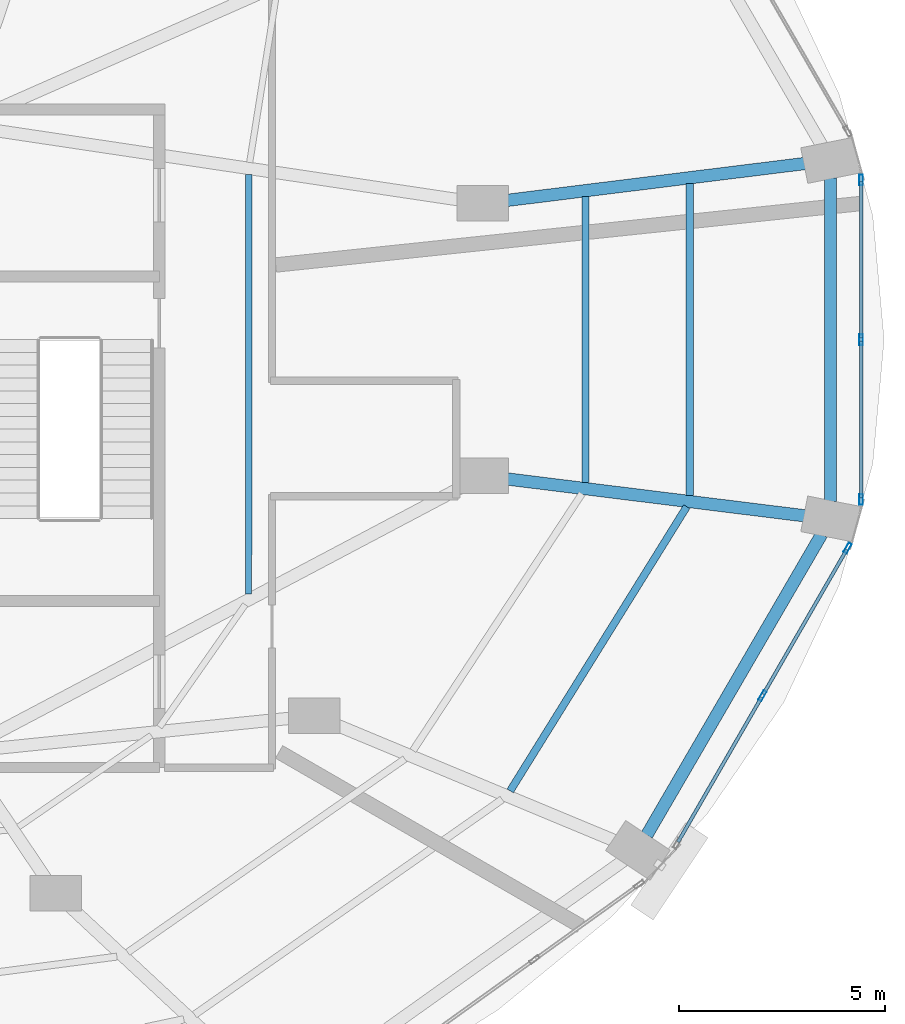
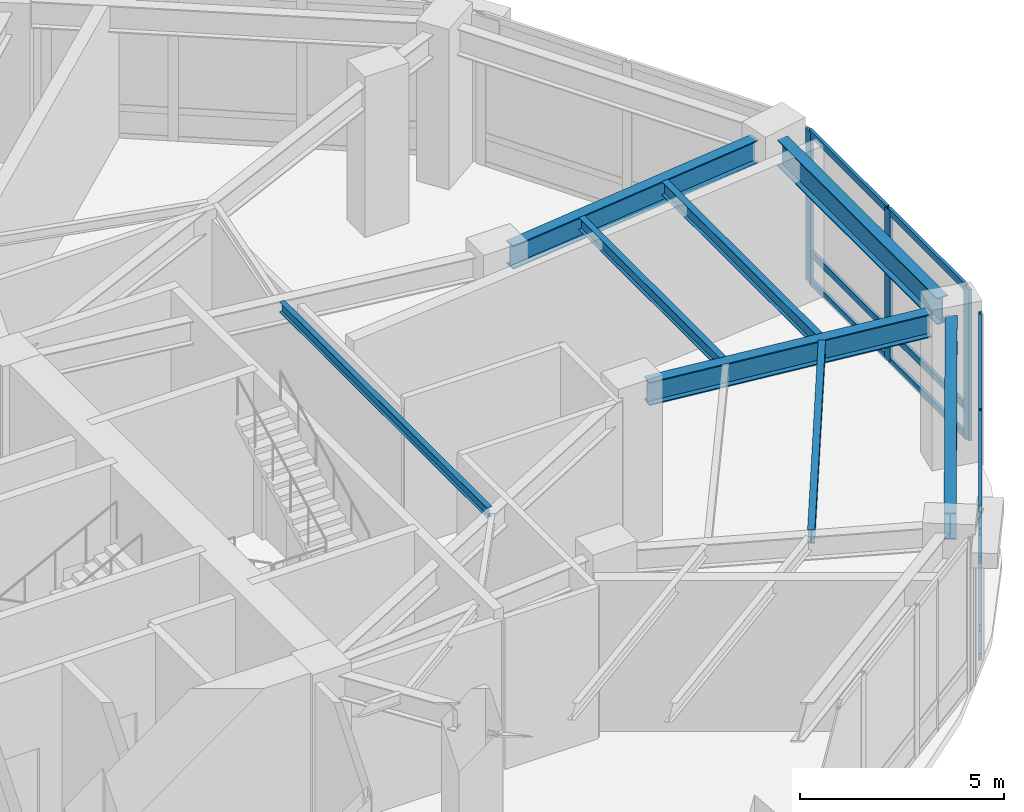
# One storey, part 12 of 24: 17 members, 8 beams, 2 elements without a shape of their own.
"""IFC4 building model written with IfcOpenShell, lengths in metres."""

from ifc_helpers import new_model, si_unit, direction, frame, origin, origin_2d, place, context, subcontext, project, spatial, hollow_rectangle, i_section, extrude, material, layer, layer_set, material_profile, profile_set, type_object, element, aggregate, save


model = new_model("IFC4")

# Units and contexts
model_context = context("Model", 3, precision=1e-05, world=origin(), true_north=direction((0.0, 1.0)))
body_context = subcontext(model_context, "Body", "Model", "MODEL_VIEW")
ifc_project = project(units=[si_unit("LENGTHUNIT", "METRE"), si_unit("AREAUNIT", "SQUARE_METRE"), si_unit("VOLUMEUNIT", "CUBIC_METRE"), si_unit("PLANEANGLEUNIT", "RADIAN"), si_unit("MASSUNIT", "GRAM", prefix="KILO")], contexts=[model_context])

# Site, building, storey
site_placement = place(None, origin())
site = spatial("IfcSite", under=ifc_project, at=site_placement, CompositionType="ELEMENT")
building_placement = place(site_placement, origin())
building = spatial("IfcBuilding", under=site, at=building_placement, Name="Lazwardi Medical Tower", CompositionType="ELEMENT")
storey_placement = place(building_placement, frame((0.0, 0.0, 6.0)))
storey = spatial("IfcBuildingStorey", under=building, at=storey_placement, Name="L01", CompositionType="ELEMENT", Elevation=6.0)

# Beams
ifc_material_1 = material(Name="Steel S355", Category="steel")
ifc_material_profile_1 = material_profile(ifc_material_1, i_section(OverallWidth=0.300048828125, OverallDepth=0.800048828125, WebThickness=0.017578125, FlangeThickness=0.032958984375, at=origin_2d()), Name="HEB 800")
ifc_profile_set_1 = profile_set([ifc_material_profile_1], Name="Steel S355")
beam_type_1 = type_object("IfcBeamType", Name="BM-RB-P1", PredefinedType="BEAM", material=ifc_profile_set_1)
beam_1_placement = place(storey_placement, frame((62.2412109375, 18.382568359375, 4.1201171875), z_axis=(0.502605874383, 0.864515665003, 0.0), x_axis=(-0.864515665003, 0.502605874383, 0.0)))
element("IfcBeam", 1, at=beam_1_placement, inside=storey, type_object=beam_type_1, Name="Ring beam RB-01 B03 L01", PredefinedType="BEAM", context=body_context, shape_type="SweptSolid", body=[
    extrude(i_section(OverallWidth=0.300048828125, OverallDepth=0.800048828125, WebThickness=0.017578125, FlangeThickness=0.032958984375, at=origin_2d()), origin(), (0.0, 0.0, 1.0), 8.4384765625),
])
beam_2_placement = place(storey_placement, frame((66.698486328125, 26.4794921875, 4.1201171875), z_axis=(0.0, 1.0, 0.0), x_axis=(-1.0, 0.0, 0.0)))
element("IfcBeam", 2, at=beam_2_placement, inside=storey, type_object=beam_type_1, Name="Ring beam RB-01 B04 L01", PredefinedType="BEAM", context=body_context, shape_type="SweptSolid", body=[
    extrude(i_section(OverallWidth=0.300048828125, OverallDepth=0.800048828125, WebThickness=0.017578125, FlangeThickness=0.032958984375, at=origin_2d()), origin(), (0.0, 0.0, 1.0), 7.841064453125),
])
ifc_material_profile_2 = material_profile(ifc_material_1, i_section(OverallWidth=0.300048828125, OverallDepth=0.699951171875, WebThickness=0.01708984375, FlangeThickness=0.031982421875, at=origin_2d()), Name="HEB 700")
ifc_profile_set_2 = profile_set([ifc_material_profile_2], Name="Steel S355")
beam_type_2 = type_object("IfcBeamType", Name="BM-RG-P1", PredefinedType="BEAM", material=ifc_profile_set_2)
for number, where, z_axis, x_axis, name in (
    (3, (66.123046875, 26.120849609375, 4.169921875), (-0.992421549031, 0.122879896728, 0.0), (-0.122879896728, -0.992421549031, 0.0), "Radial girder RG-01 R04A L01"),
    (4, (66.123046875, 34.67919921875, 4.169921875), (-0.992421549031, -0.122879896728, 0.0), (0.122879896728, -0.992421549031, 0.0), "Radial girder RG-01 R05A L01"),
):
    element("IfcBeam", number, at=place(storey_placement, frame(where, z_axis=z_axis, x_axis=x_axis)), inside=storey, type_object=beam_type_2, Name=name, PredefinedType="BEAM", context=body_context, shape_type="SweptSolid", body=[
        extrude(i_section(OverallWidth=0.300048828125, OverallDepth=0.699951171875, WebThickness=0.01708984375, FlangeThickness=0.031982421875, at=origin_2d()), origin(), (0.0, 0.0, 1.0), 7.52001953125),
    ])
ifc_material_profile_3 = material_profile(ifc_material_1, i_section(OverallWidth=0.179931640625, OverallDepth=0.39990234375, WebThickness=0.008544921875, FlangeThickness=0.013427734375, at=origin_2d()), Name="IPE 400")
ifc_profile_set_3 = profile_set([ifc_material_profile_3], Name="Steel S355")
beam_type_3 = type_object("IfcBeamType", Name="BM-SJ-01", PredefinedType="JOIST", material=ifc_profile_set_3)
beam_3_placement = place(storey_placement, frame((58.927490234375, 19.45458984375, 4.320068359375), z_axis=(0.527696026634, 0.84943328371, 0.0), x_axis=(-0.84943328371, 0.527696026634, 0.0)))
element("IfcBeam", 5, at=beam_3_placement, inside=storey, type_object=beam_type_3, Name="Secondary joist SJ-01 RO1 B03 L01", PredefinedType="JOIST", context=body_context, shape_type="SweptSolid", body=[
    extrude(i_section(OverallWidth=0.179931640625, OverallDepth=0.39990234375, WebThickness=0.008544921875, FlangeThickness=0.013427734375, at=origin_2d()), origin(), (0.0, 0.0, 1.0), 8.116455078125),
])
beam_4_placement = place(storey_placement, frame((63.287109375, 26.616943359375, 4.320068359375), z_axis=(0.0, 1.0, 0.0), x_axis=(-1.0, 0.0, 0.0)))
element("IfcBeam", 6, at=beam_4_placement, inside=storey, type_object=beam_type_3, Name="Secondary joist SJ-01 RO1 B04 L01", PredefinedType="JOIST", context=body_context, shape_type="SweptSolid", body=[
    extrude(i_section(OverallWidth=0.179931640625, OverallDepth=0.39990234375, WebThickness=0.008544921875, FlangeThickness=0.013427734375, at=origin_2d()), origin(), (0.0, 0.0, 1.0), 7.566162109375),
])
ifc_material_profile_4 = material_profile(ifc_material_1, i_section(OverallWidth=0.169921875, OverallDepth=0.360107421875, WebThickness=0.008056640625, FlangeThickness=0.0126953125, at=origin_2d()), Name="IPE 360")
ifc_profile_set_4 = profile_set([ifc_material_profile_4], Name="Steel S355")
beam_type_4 = type_object("IfcBeamType", Name="BM-SJ-02", PredefinedType="JOIST", material=ifc_profile_set_4)
beam_5_placement = place(storey_placement, frame((60.74951171875, 26.93115234375, 4.340087890625), z_axis=(0.0, 1.0, 0.0), x_axis=(-1.0, 0.0, 0.0)))
element("IfcBeam", 7, at=beam_5_placement, inside=storey, type_object=beam_type_4, Name="Secondary joist SJ-02 RO2 B04 L01", PredefinedType="JOIST", context=body_context, shape_type="SweptSolid", body=[
    extrude(i_section(OverallWidth=0.169921875, OverallDepth=0.360107421875, WebThickness=0.008056640625, FlangeThickness=0.0126953125, at=origin_2d()), origin(), (0.0, 0.0, 1.0), 6.937744140625),
])
ifc_material_profile_5 = material_profile(ifc_material_1, i_section(OverallWidth=0.14990234375, OverallDepth=0.300048828125, WebThickness=0.007080078125, FlangeThickness=0.0107421875, at=origin_2d()), Name="IPE 300")
ifc_profile_set_5 = profile_set([ifc_material_profile_5], Name="Steel S355")
beam_type_5 = type_object("IfcBeamType", Name="BM-SJ-03", PredefinedType="JOIST", material=ifc_profile_set_5)
beam_6_placement = place(storey_placement, frame((52.5830078125, 24.236328125, 4.3701171875), z_axis=(0.000215967168, 0.999999976679, 0.0), x_axis=(-0.999999976679, 0.000215967168, 0.0)))
element("IfcBeam", 8, at=beam_6_placement, inside=storey, type_object=beam_type_5, Name="Secondary joist SJ-03 RI1 B04 L01", PredefinedType="JOIST", context=body_context, shape_type="SweptSolid", body=[
    extrude(i_section(OverallWidth=0.14990234375, OverallDepth=0.300048828125, WebThickness=0.007080078125, FlangeThickness=0.0107421875, at=origin_2d()), origin(), (0.0, 0.0, 1.0), 10.174072265625),
])

# Curtain wall, members
ifc_material_2 = material(Name="Anodised bronze aluminium and solar control glazing", Category="aluminium")
ifc_layer = layer(ifc_material_2, 0.219970703125)
ifc_layer_set = layer_set([ifc_layer], Name="Anodised bronze aluminium and solar control glazing")
curtain_wall_type = type_object("IfcCurtainWallType", Name="CW-SYS-01", PredefinedType="NOTDEFINED", material=ifc_layer_set)
curtain_wall_1_placement = place(storey_placement, origin())
curtain_wall_1 = element("IfcCurtainWall", 9, at=curtain_wall_1_placement, inside=storey, type_object=curtain_wall_type, Name="L01 Unitised bronze curtain wall CW-01", PredefinedType="NOTDEFINED")
ifc_material_3 = material(Name="Anodised bronze aluminium", Category="aluminium")
ifc_material_profile_6 = material_profile(ifc_material_3, hollow_rectangle(XDim=0.0849609375, YDim=0.260009765625, WallThickness=0.0048828125, at=origin_2d()), Name="ALU-MULLION 260x85x5")
ifc_profile_set_6 = profile_set([ifc_material_profile_6], Name="Anodised bronze aluminium")
member_type_1 = type_object("IfcMemberType", Name="CW-MUL-02", PredefinedType="MULLION", material=ifc_profile_set_6)
member_1_placement = place(storey_placement, frame((65.04638671875, 21.761962890625, 0.0), z_axis=(0.0, 0.0, 1.0), x_axis=(-0.866180607783, 0.499731082384, 0.0)))
member_1 = element("IfcMember", 10, at=member_1_placement, type_object=member_type_1, Name="CW-01 mullion 2", PredefinedType="MULLION", context=body_context, shape_type="SweptSolid", body=[
    extrude(hollow_rectangle(XDim=0.0849609375, YDim=0.260009765625, WallThickness=0.0048828125, at=origin_2d()), origin(), (0.0, 0.0, 1.0), 4.52001953125),
])
member_2_placement = place(storey_placement, frame((67.1142578125, 25.345947265625, 0.0), z_axis=(0.0, 0.0, 1.0), x_axis=(-0.866180607783, 0.499731082384, 0.0)))
member_2 = element("IfcMember", 11, at=member_2_placement, type_object=member_type_1, Name="CW-01 mullion 3", PredefinedType="MULLION", context=body_context, shape_type="SweptSolid", body=[
    extrude(hollow_rectangle(XDim=0.0849609375, YDim=0.260009765625, WallThickness=0.0048828125, at=origin_2d()), origin(), (0.0, 0.0, 1.0), 4.52001953125),
])

curtain_wall_2_placement = place(storey_placement, origin())
curtain_wall_2 = element("IfcCurtainWall", 12, at=curtain_wall_2_placement, inside=storey, type_object=curtain_wall_type, Name="L01 Unitised bronze curtain wall CW-01", PredefinedType="NOTDEFINED")
member_3_placement = place(storey_placement, frame((67.439697265625, 26.523193359375, 0.0), z_axis=(0.0, 0.0, 1.0), x_axis=(-1.0, 0.0, 0.0)))
member_3 = element("IfcMember", 13, at=member_3_placement, type_object=member_type_1, Name="CW-01 mullion 1", PredefinedType="MULLION", context=body_context, shape_type="SweptSolid", body=[
    extrude(hollow_rectangle(XDim=0.0849609375, YDim=0.260009765625, WallThickness=0.0048828125, at=origin_2d()), origin(), (0.0, 0.0, 1.0), 4.52001953125),
])
member_4_placement = place(storey_placement, frame((67.439697265625, 30.39990234375, 0.0), z_axis=(0.0, 0.0, 1.0), x_axis=(-1.0, 0.0, 0.0)))
member_4 = element("IfcMember", 14, at=member_4_placement, type_object=member_type_1, Name="CW-01 mullion 2", PredefinedType="MULLION", context=body_context, shape_type="SweptSolid", body=[
    extrude(hollow_rectangle(XDim=0.0849609375, YDim=0.260009765625, WallThickness=0.0048828125, at=origin_2d()), origin(), (0.0, 0.0, 1.0), 4.52001953125),
])
member_5_placement = place(storey_placement, frame((67.439697265625, 34.276611328125, 0.0), z_axis=(0.0, 0.0, 1.0), x_axis=(-1.0, 0.0, 0.0)))
member_5 = element("IfcMember", 15, at=member_5_placement, type_object=member_type_1, Name="CW-01 mullion 3", PredefinedType="MULLION", context=body_context, shape_type="SweptSolid", body=[
    extrude(hollow_rectangle(XDim=0.0849609375, YDim=0.260009765625, WallThickness=0.0048828125, at=origin_2d()), origin(), (0.0, 0.0, 1.0), 4.52001953125),
])

# Member
ifc_material_profile_7 = material_profile(ifc_material_3, hollow_rectangle(XDim=0.0849609375, YDim=0.199951171875, WallThickness=0.00439453125, at=origin_2d()), Name="ALU-TRANSOM 200x85x4.5")
ifc_profile_set_7 = profile_set([ifc_material_profile_7], Name="Anodised bronze aluminium")
member_type_2 = type_object("IfcMemberType", Name="CW-TRN-02", PredefinedType="USERDEFINED", material=ifc_profile_set_7)
member_6_placement = place(storey_placement, frame((62.999755859375, 18.21484375, 0.04248046875), z_axis=(0.499767651026, 0.866159508975, 0.0), x_axis=(-0.866159508975, 0.499767651026, 0.0)))
member_6 = element("IfcMember", 16, at=member_6_placement, type_object=member_type_2, Name="CW-01 transom 1.1", ObjectType="TRANSOM", PredefinedType="USERDEFINED", context=body_context, shape_type="SweptSolid", body=[
    extrude(hollow_rectangle(XDim=0.0849609375, YDim=0.199951171875, WallThickness=0.00439453125, at=origin_2d()), origin(), (0.0, 0.0, 1.0), 4.052734375),
])

member_7_placement = place(storey_placement, frame((62.999755859375, 18.21484375, 0.89990234375), z_axis=(0.499767651026, 0.866159508975, 0.0), x_axis=(-0.866159508975, 0.499767651026, 0.0)))
member_7 = element("IfcMember", 17, at=member_7_placement, type_object=member_type_2, Name="CW-01 transom 1.2", ObjectType="TRANSOM", PredefinedType="USERDEFINED", context=body_context, shape_type="SweptSolid", body=[
    extrude(hollow_rectangle(XDim=0.0849609375, YDim=0.199951171875, WallThickness=0.00439453125, at=origin_2d()), origin(), (0.0, 0.0, 1.0), 4.052734375),
])

member_8_placement = place(storey_placement, frame((62.999755859375, 18.21484375, 4.4775390625), z_axis=(0.499767651026, 0.866159508975, 0.0), x_axis=(-0.866159508975, 0.499767651026, 0.0)))
member_8 = element("IfcMember", 18, at=member_8_placement, type_object=member_type_2, Name="CW-01 transom 1.3", ObjectType="TRANSOM", PredefinedType="USERDEFINED", context=body_context, shape_type="SweptSolid", body=[
    extrude(hollow_rectangle(XDim=0.0849609375, YDim=0.199951171875, WallThickness=0.00439453125, at=origin_2d()), origin(), (0.0, 0.0, 1.0), 4.052734375),
])

member_9_placement = place(storey_placement, frame((65.067626953125, 21.798828125, 0.04248046875), z_axis=(0.499767651026, 0.866159508975, 0.0), x_axis=(-0.866159508975, 0.499767651026, 0.0)))
member_9 = element("IfcMember", 19, at=member_9_placement, type_object=member_type_2, Name="CW-01 transom 2.1", ObjectType="TRANSOM", PredefinedType="USERDEFINED", context=body_context, shape_type="SweptSolid", body=[
    extrude(hollow_rectangle(XDim=0.0849609375, YDim=0.199951171875, WallThickness=0.00439453125, at=origin_2d()), origin(), (0.0, 0.0, 1.0), 4.052734375),
])

member_10_placement = place(storey_placement, frame((65.067626953125, 21.798828125, 0.89990234375), z_axis=(0.499767651026, 0.866159508975, 0.0), x_axis=(-0.866159508975, 0.499767651026, 0.0)))
member_10 = element("IfcMember", 20, at=member_10_placement, type_object=member_type_2, Name="CW-01 transom 2.2", ObjectType="TRANSOM", PredefinedType="USERDEFINED", context=body_context, shape_type="SweptSolid", body=[
    extrude(hollow_rectangle(XDim=0.0849609375, YDim=0.199951171875, WallThickness=0.00439453125, at=origin_2d()), origin(), (0.0, 0.0, 1.0), 4.052734375),
])

member_11_placement = place(storey_placement, frame((65.067626953125, 21.798828125, 4.4775390625), z_axis=(0.499767651026, 0.866159508975, 0.0), x_axis=(-0.866159508975, 0.499767651026, 0.0)))
member_11 = element("IfcMember", 21, at=member_11_placement, type_object=member_type_2, Name="CW-01 transom 2.3", ObjectType="TRANSOM", PredefinedType="USERDEFINED", context=body_context, shape_type="SweptSolid", body=[
    extrude(hollow_rectangle(XDim=0.0849609375, YDim=0.199951171875, WallThickness=0.00439453125, at=origin_2d()), origin(), (0.0, 0.0, 1.0), 4.052734375),
])

aggregate(curtain_wall_1, [member_1, member_2, member_6, member_7, member_8, member_9, member_10, member_11])

member_12_placement = place(storey_placement, frame((67.439697265625, 26.56591796875, 0.04248046875), z_axis=(0.0, 1.0, 0.0), x_axis=(-1.0, 0.0, 0.0)))
member_12 = element("IfcMember", 22, at=member_12_placement, type_object=member_type_2, Name="CW-01 transom 1.1", ObjectType="TRANSOM", PredefinedType="USERDEFINED", context=body_context, shape_type="SweptSolid", body=[
    extrude(hollow_rectangle(XDim=0.0849609375, YDim=0.199951171875, WallThickness=0.00439453125, at=origin_2d()), origin(), (0.0, 0.0, 1.0), 3.79150390625),
])

member_13_placement = place(storey_placement, frame((67.439697265625, 26.56591796875, 0.89990234375), z_axis=(0.0, 1.0, 0.0), x_axis=(-1.0, 0.0, 0.0)))
member_13 = element("IfcMember", 23, at=member_13_placement, type_object=member_type_2, Name="CW-01 transom 1.2", ObjectType="TRANSOM", PredefinedType="USERDEFINED", context=body_context, shape_type="SweptSolid", body=[
    extrude(hollow_rectangle(XDim=0.0849609375, YDim=0.199951171875, WallThickness=0.00439453125, at=origin_2d()), origin(), (0.0, 0.0, 1.0), 3.79150390625),
])

member_14_placement = place(storey_placement, frame((67.439697265625, 26.56591796875, 4.4775390625), z_axis=(0.0, 1.0, 0.0), x_axis=(-1.0, 0.0, 0.0)))
member_14 = element("IfcMember", 24, at=member_14_placement, type_object=member_type_2, Name="CW-01 transom 1.3", ObjectType="TRANSOM", PredefinedType="USERDEFINED", context=body_context, shape_type="SweptSolid", body=[
    extrude(hollow_rectangle(XDim=0.0849609375, YDim=0.199951171875, WallThickness=0.00439453125, at=origin_2d()), origin(), (0.0, 0.0, 1.0), 3.79150390625),
])

member_15_placement = place(storey_placement, frame((67.439697265625, 30.4423828125, 0.04248046875), z_axis=(0.0, 1.0, 0.0), x_axis=(-1.0, 0.0, 0.0)))
member_15 = element("IfcMember", 25, at=member_15_placement, type_object=member_type_2, Name="CW-01 transom 2.1", ObjectType="TRANSOM", PredefinedType="USERDEFINED", context=body_context, shape_type="SweptSolid", body=[
    extrude(hollow_rectangle(XDim=0.0849609375, YDim=0.199951171875, WallThickness=0.00439453125, at=origin_2d()), origin(), (0.0, 0.0, 1.0), 3.791748046875),
])

member_16_placement = place(storey_placement, frame((67.439697265625, 30.4423828125, 0.89990234375), z_axis=(0.0, 1.0, 0.0), x_axis=(-1.0, 0.0, 0.0)))
member_16 = element("IfcMember", 26, at=member_16_placement, type_object=member_type_2, Name="CW-01 transom 2.2", ObjectType="TRANSOM", PredefinedType="USERDEFINED", context=body_context, shape_type="SweptSolid", body=[
    extrude(hollow_rectangle(XDim=0.0849609375, YDim=0.199951171875, WallThickness=0.00439453125, at=origin_2d()), origin(), (0.0, 0.0, 1.0), 3.791748046875),
])

member_17_placement = place(storey_placement, frame((67.439697265625, 30.4423828125, 4.4775390625), z_axis=(0.0, 1.0, 0.0), x_axis=(-1.0, 0.0, 0.0)))
member_17 = element("IfcMember", 27, at=member_17_placement, type_object=member_type_2, Name="CW-01 transom 2.3", ObjectType="TRANSOM", PredefinedType="USERDEFINED", context=body_context, shape_type="SweptSolid", body=[
    extrude(hollow_rectangle(XDim=0.0849609375, YDim=0.199951171875, WallThickness=0.00439453125, at=origin_2d()), origin(), (0.0, 0.0, 1.0), 3.791748046875),
])

aggregate(curtain_wall_2, [member_3, member_4, member_5, member_12, member_13, member_14, member_15, member_16, member_17])

save(model, "model.ifc")
